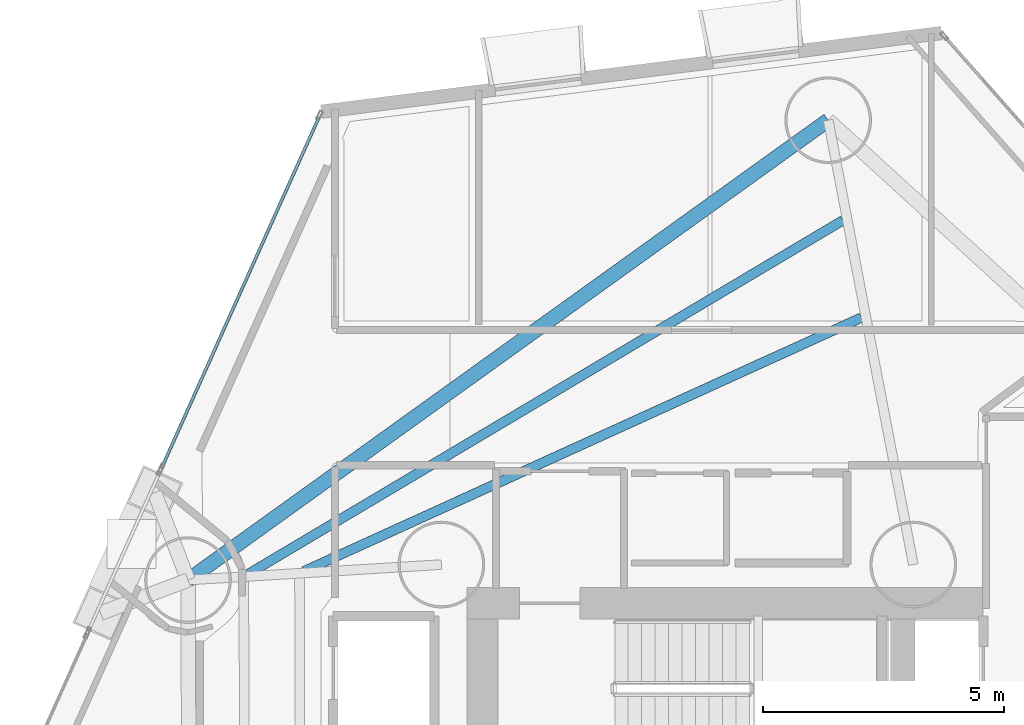
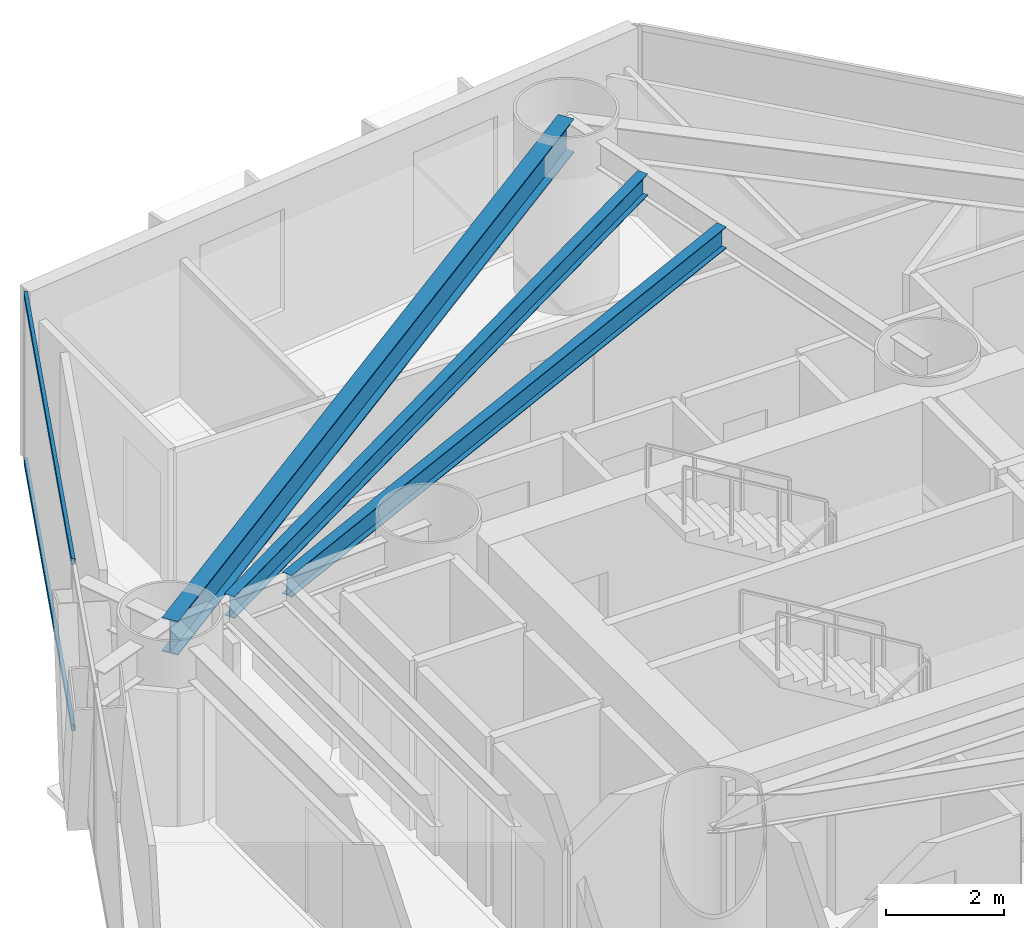
# One storey, part 8 of 22: 3 beams, 2 members, 1 element without a shape of its own.
"""IFC4 building model written with IfcOpenShell, lengths in metres."""

from ifc_helpers import new_model, si_unit, direction, frame, origin, origin_2d, place, context, subcontext, project, spatial, hollow_rectangle, i_section, extrude, material, layer, layer_set, material_profile, profile_set, type_object, element, aggregate, save


model = new_model("IFC4")

# Units and contexts
model_context = context("Model", 3, precision=1e-05, world=origin(), true_north=direction((0.0, 1.0)))
body_context = subcontext(model_context, "Body", "Model", "MODEL_VIEW")
ifc_project = project(units=[si_unit("LENGTHUNIT", "METRE"), si_unit("AREAUNIT", "SQUARE_METRE"), si_unit("VOLUMEUNIT", "CUBIC_METRE"), si_unit("PLANEANGLEUNIT", "RADIAN"), si_unit("MASSUNIT", "GRAM", prefix="KILO")], contexts=[model_context])

# Site, building, storey
site_placement = place(None, origin())
site = spatial("IfcSite", under=ifc_project, at=site_placement, CompositionType="ELEMENT")
building_placement = place(site_placement, origin())
building = spatial("IfcBuilding", under=site, at=building_placement, Name="Qianvela Tower", CompositionType="ELEMENT")
storey_placement = place(building_placement, frame((0.0, 0.0, 40.5)))
storey = spatial("IfcBuildingStorey", under=building, at=storey_placement, Name="L09", CompositionType="ELEMENT", Elevation=40.5)

# Beams
ifc_material_1 = material(Name="Steel Q355B", Category="steel")
ifc_material_profile_1 = material_profile(ifc_material_1, i_section(OverallWidth=0.199951171875, OverallDepth=0.449951171875, WebThickness=0.009033203125, FlangeThickness=0.013916015625, at=origin_2d()), Name="HN450x200x9x14")
ifc_profile_set_1 = profile_set([ifc_material_profile_1], Name="Steel Q355B")
beam_type_1 = type_object("IfcBeamType", Name="BM-HN450-JOIST", PredefinedType="JOIST", material=ifc_profile_set_1)
beam_1_placement = place(storey_placement, frame((37.322509765625, 38.677978515625, 3.29296875), z_axis=(-0.910244872328, -0.414070371315, 0.0), x_axis=(0.414070371315, -0.910244872328, 0.0)))
element("IfcBeam", 1, at=beam_1_placement, inside=storey, type_object=beam_type_1, Name="L09 Secondary Composite Floor Joist 3.2", PredefinedType="JOIST", context=body_context, shape_type="SweptSolid", body=[
    extrude(i_section(OverallWidth=0.199951171875, OverallDepth=0.449951171875, WebThickness=0.009033203125, FlangeThickness=0.013916015625, at=origin_2d()), origin(), (0.0, 0.0, 1.0), 12.723876953125),
])
beam_2_placement = place(storey_placement, frame((36.9384765625, 40.69873046875, 3.29296875), z_axis=(-0.859492146952, -0.511148950237, 0.0), x_axis=(0.511148950237, -0.859492146952, 0.0)))
element("IfcBeam", 2, at=beam_2_placement, inside=storey, type_object=beam_type_1, Name="L09 Secondary Composite Floor Joist 3.3", PredefinedType="JOIST", context=body_context, shape_type="SweptSolid", body=[
    extrude(i_section(OverallWidth=0.199951171875, OverallDepth=0.449951171875, WebThickness=0.009033203125, FlangeThickness=0.013916015625, at=origin_2d()), origin(), (0.0, 0.0, 1.0), 14.381103515625),
])
ifc_material_2 = material(Name="Steel Q355B", Category="steel")
ifc_material_profile_2 = material_profile(ifc_material_2, i_section(OverallWidth=0.300048828125, OverallDepth=0.699951171875, WebThickness=0.012939453125, FlangeThickness=0.02392578125, at=origin_2d()), Name="HN700x300x13x24")
ifc_profile_set_2 = profile_set([ifc_material_profile_2], Name="Steel Q355B")
beam_type_2 = type_object("IfcBeamType", Name="BM-HN700-SPAND", PredefinedType="SPANDREL", material=ifc_profile_set_2)
beam_3_placement = place(storey_placement, frame((36.632080078125, 42.778076171875, 3.16796875), z_axis=(-0.812164446449, -0.583428583397, 0.0), x_axis=(0.583428583397, -0.812164446449, 0.0)))
element("IfcBeam", 3, at=beam_3_placement, inside=storey, type_object=beam_type_2, Name="L09 Perimeter Ring Spandrel Girder 3", PredefinedType="SPANDREL", context=body_context, shape_type="SweptSolid", body=[
    extrude(i_section(OverallWidth=0.300048828125, OverallDepth=0.699951171875, WebThickness=0.012939453125, FlangeThickness=0.02392578125, at=origin_2d()), origin(), (0.0, 0.0, 1.0), 16.368896484375),
])

# Curtain wall, members
ifc_material_3 = material(Name="Anodised Architectural Aluminium and Low-E Glass", Category="aluminium")
ifc_layer = layer(ifc_material_3, 0.179931640625)
ifc_layer_set = layer_set([ifc_layer], Name="Anodised Architectural Aluminium and Low-E Glass")
curtain_wall_type = type_object("IfcCurtainWallType", Name="CW-COLIV-Z12", PredefinedType="USERDEFINED", material=ifc_layer_set)
curtain_wall_placement = place(storey_placement, origin())
curtain_wall = element("IfcCurtainWall", 4, at=curtain_wall_placement, inside=storey, type_object=curtain_wall_type, Name="L09 CW-COLIV-Z12 Curtain Wall 04A", ObjectType="CURTAIN_WALL_SYSTEM", PredefinedType="USERDEFINED")
ifc_material_4 = material(Name="Anodised Architectural Aluminium 6063-T6", Category="aluminium")
ifc_material_profile_3 = material_profile(ifc_material_4, hollow_rectangle(XDim=0.06494140625, YDim=0.1298828125, WallThickness=0.00439453125, at=origin_2d()), Name="ALU-TRAN-65x130")
ifc_profile_set_3 = profile_set([ifc_material_profile_3], Name="Anodised Architectural Aluminium 6063-T6")
member_type = type_object("IfcMemberType", Name="CW-COLIV-Z12-TRAN", PredefinedType="USERDEFINED", material=ifc_profile_set_3)
member_1_placement = place(storey_placement, frame((26.0595703125, 42.847900390625, 0.032470703125), z_axis=(-0.409276656174, -0.912410334615, 0.0), x_axis=(0.912410334615, -0.409276656174, 0.0)))
member_1 = element("IfcMember", 5, at=member_1_placement, type_object=member_type, Name="CW-3 transom 1.1", ObjectType="TRANSOM", PredefinedType="USERDEFINED", context=body_context, shape_type="SweptSolid", body=[
    extrude(hollow_rectangle(XDim=0.06494140625, YDim=0.1298828125, WallThickness=0.00439453125, at=origin_2d()), origin(), (0.0, 0.0, 1.0), 7.969970703125),
])
member_2_placement = place(storey_placement, frame((26.0595703125, 42.847900390625, 3.487548828125), z_axis=(-0.409276656174, -0.912410334615, 0.0), x_axis=(0.912410334615, -0.409276656174, 0.0)))
member_2 = element("IfcMember", 6, at=member_2_placement, type_object=member_type, Name="CW-3 transom 1.2", ObjectType="TRANSOM", PredefinedType="USERDEFINED", context=body_context, shape_type="SweptSolid", body=[
    extrude(hollow_rectangle(XDim=0.06494140625, YDim=0.1298828125, WallThickness=0.00439453125, at=origin_2d()), origin(), (0.0, 0.0, 1.0), 7.969970703125),
])
aggregate(curtain_wall, [member_1, member_2])

save(model, "model.ifc")
